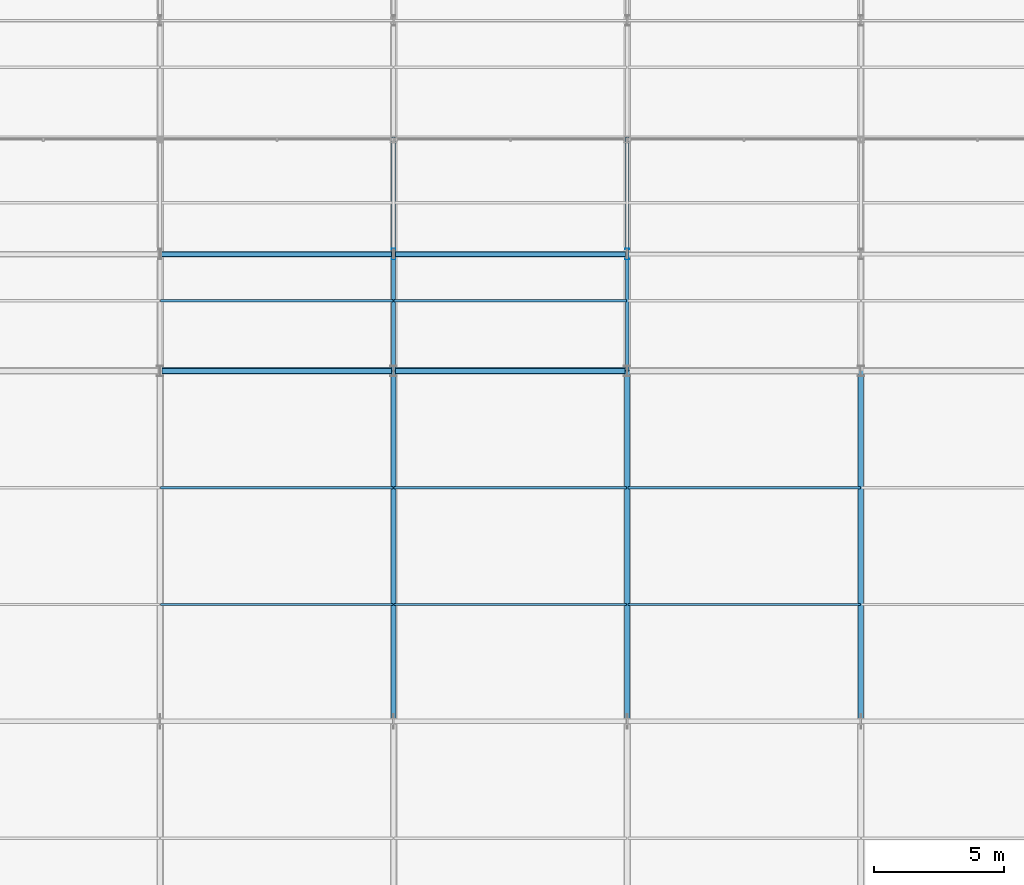
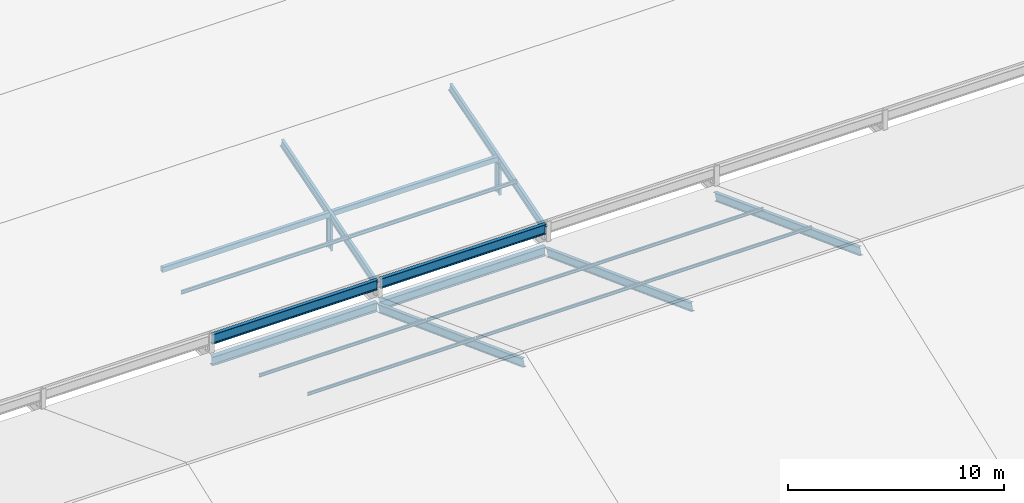
# One storey, part 44 of 163: 17 members, 4 beams.
"""IFC4 building model written with IfcOpenShell, lengths in metres."""

from ifc_helpers import new_model, si_unit, direction, frame, origin, origin_2d, place, context, subcontext, project, spatial, hollow_rectangle, i_section, extrude, material, material_profile, profile_set, type_object, element, save


model = new_model("IFC4")

# Units and contexts
model_context = context("Model", 3, precision=1e-05, world=origin(), true_north=direction((0.0, 1.0)))
body_context = subcontext(model_context, "Body", "Model", "MODEL_VIEW")
ifc_project = project(units=[si_unit("LENGTHUNIT", "METRE"), si_unit("AREAUNIT", "SQUARE_METRE"), si_unit("VOLUMEUNIT", "CUBIC_METRE"), si_unit("PLANEANGLEUNIT", "RADIAN"), si_unit("MASSUNIT", "GRAM", prefix="KILO")], contexts=[model_context])

# Site, building, storey
site_placement = place(None, origin())
site = spatial("IfcSite", under=ifc_project, at=site_placement, CompositionType="ELEMENT")
building_placement = place(site_placement, origin())
building = spatial("IfcBuilding", under=site, at=building_placement, Name="Tharagai Park Tramway Depot", CompositionType="ELEMENT")
storey_placement = place(building_placement, frame((0.0, 0.0, 8.39990234375)))
storey = spatial("IfcBuildingStorey", under=building, at=storey_placement, Name="L02", CompositionType="ELEMENT", Elevation=8.39990234375)

# Beams
ifc_material_1 = material(Name="Steel E350", Category="steel")
ifc_material_profile_1 = material_profile(ifc_material_1, i_section(OverallWidth=0.25, OverallDepth=0.5, WebThickness=0.010009765625, FlangeThickness=0.0146484375, FilletRadius=0.014892578125, at=origin_2d()), Name="ISWB 500")
ifc_profile_set_1 = profile_set([ifc_material_profile_1], Name="Steel E350")
beam_type_1 = type_object("IfcBeamType", Name="BM-08", PredefinedType="BEAM", material=ifc_profile_set_1)
for number, where, z_axis, x_axis, name in (
    (1, (27.080078125, 90.0, -0.5), (1.0, 0.0, 0.0), (0.0, 1.0, 0.0), "V2B Roof Eave Girder BM-08"),
    (2, (36.080078125, 90.0, -0.5), (1.0, 0.0, 0.0), (0.0, 1.0, 0.0), "V2B Roof Eave Girder BM-08"),
):
    element("IfcBeam", number, at=place(storey_placement, frame(where, z_axis=z_axis, x_axis=x_axis)), inside=storey, type_object=beam_type_1, Name=name, PredefinedType="BEAM", context=body_context, shape_type="SweptSolid", body=[
        extrude(i_section(OverallWidth=0.25, OverallDepth=0.5, WebThickness=0.010009765625, FlangeThickness=0.0146484375, FilletRadius=0.014892578125, at=origin_2d()), origin(), (0.0, 0.0, 1.0), 8.83984375),
    ])
ifc_material_profile_2 = material_profile(ifc_material_1, i_section(OverallWidth=0.18994140625, OverallDepth=0.550048828125, WebThickness=0.01123046875, FlangeThickness=0.019287109375, FilletRadius=0.01806640625, at=origin_2d()), Name="ISMB 550")
ifc_profile_set_2 = profile_set([ifc_material_profile_2], Name="Steel E350")
beam_type_2 = type_object("IfcBeamType", Name="BM-09", PredefinedType="BEAM", material=ifc_profile_set_2)
for number, where, z_axis, x_axis, name in (
    (3, (27.080078125, 90.0, 0.72509765625), (1.0, 0.0, 0.0), (0.0, 1.0, 0.0), "Sawtooth Valley Girder BM-09"),
    (4, (36.080078125, 90.0, 0.72509765625), (1.0, 0.0, 0.0), (0.0, 1.0, 0.0), "Sawtooth Valley Girder BM-09"),
):
    element("IfcBeam", number, at=place(storey_placement, frame(where, z_axis=z_axis, x_axis=x_axis)), inside=storey, type_object=beam_type_2, Name=name, PredefinedType="BEAM", context=body_context, shape_type="SweptSolid", body=[
        extrude(i_section(OverallWidth=0.18994140625, OverallDepth=0.550048828125, WebThickness=0.01123046875, FlangeThickness=0.019287109375, FilletRadius=0.01806640625, at=origin_2d()), origin(), (0.0, 0.0, 1.0), 8.83984375),
    ])

# Members
ifc_material_2 = material(Name="Steel E250", Category="steel")
ifc_material_profile_3 = material_profile(ifc_material_2, i_section(OverallWidth=0.090087890625, OverallDepth=0.175048828125, WebThickness=0.005615234375, FlangeThickness=0.009033203125, FilletRadius=0.010009765625, at=origin_2d()), Name="ISMB 175")
ifc_profile_set_3 = profile_set([ifc_material_profile_3], Name="Steel E250")
member_type_1 = type_object("IfcMemberType", Name="PR-01", PredefinedType="PURLIN", material=ifc_profile_set_3)
for number, where, z_axis, x_axis, name in (
    (5, (27.02001953125, 85.5, 1.398681640625), (1.0, 0.0, 0.0), (0.0, 1.0, 0.0), "V2B Roof Purlin PR-01"),
    (6, (27.02001953125, 81.0, 3.0810546875), (1.0, 0.0, 0.0), (0.0, 1.0, 0.0), "V2B Roof Purlin PR-01"),
    (7, (36.02001953125, 85.5, 1.398681640625), (1.0, 0.0, 0.0), (0.0, 1.0, 0.0), "V2B Roof Purlin PR-01"),
    (8, (36.02001953125, 81.0, 3.0810546875), (1.0, 0.0, 0.0), (0.0, 1.0, 0.0), "V2B Roof Purlin PR-01"),
    (9, (45.02001953125, 85.5, 1.398681640625), (1.0, 0.0, 0.0), (0.0, 1.0, 0.0), "V2B Roof Purlin PR-01"),
    (10, (45.02001953125, 81.0, 3.0810546875), (1.0, 0.0, 0.0), (0.0, 1.0, 0.0), "V2B Roof Purlin PR-01"),
):
    element("IfcMember", number, at=place(storey_placement, frame(where, z_axis=z_axis, x_axis=x_axis)), inside=storey, type_object=member_type_1, Name=name, PredefinedType="PURLIN", context=body_context, shape_type="SweptSolid", body=[
        extrude(i_section(OverallWidth=0.090087890625, OverallDepth=0.175048828125, WebThickness=0.005615234375, FlangeThickness=0.009033203125, FilletRadius=0.010009765625, at=origin_2d()), origin(), (0.0, 0.0, 1.0), 8.9599609375),
    ])
ifc_material_profile_4 = material_profile(ifc_material_2, i_section(OverallWidth=0.10009765625, OverallDepth=0.199951171875, WebThickness=0.005615234375, FlangeThickness=0.0107421875, FilletRadius=0.010986328125, at=origin_2d()), Name="ISMB 200")
ifc_profile_set_4 = profile_set([ifc_material_profile_4], Name="Steel E250")
member_type_2 = type_object("IfcMemberType", Name="PR-04", PredefinedType="PURLIN", material=ifc_profile_set_4)
for number, where, z_axis, x_axis, name in (
    (11, (27.02001953125, 92.699951171875, 1.733154296875), (1.0, 0.0, 0.0), (0.0, 1.0, 0.0), "Sawtooth Roof Purlin PR-04"),
    (12, (36.02001953125, 92.699951171875, 1.733154296875), (1.0, 0.0, 0.0), (0.0, 1.0, 0.0), "Sawtooth Roof Purlin PR-04"),
):
    element("IfcMember", number, at=place(storey_placement, frame(where, z_axis=z_axis, x_axis=x_axis)), inside=storey, type_object=member_type_2, Name=name, PredefinedType="PURLIN", context=body_context, shape_type="SweptSolid", body=[
        extrude(i_section(OverallWidth=0.10009765625, OverallDepth=0.199951171875, WebThickness=0.005615234375, FlangeThickness=0.0107421875, FilletRadius=0.010986328125, at=origin_2d()), origin(), (0.0, 0.0, 1.0), 8.9599609375),
    ])
ifc_material_profile_5 = material_profile(ifc_material_1, i_section(OverallWidth=0.199951171875, OverallDepth=0.449951171875, WebThickness=0.00927734375, FlangeThickness=0.015380859375, FilletRadius=0.014892578125, at=origin_2d()), Name="ISWB 450")
ifc_profile_set_5 = profile_set([ifc_material_profile_5], Name="Steel E350")
member_type_3 = type_object("IfcMemberType", Name="RF-03", PredefinedType="RAFTER", material=ifc_profile_set_5)
for number, where, z_axis, x_axis, name in (
    (13, (36.0, 76.5, 4.446044921875), (0.0, 0.936246041069, -0.35134505914), (-1.0, 0.0, 0.0), "V2B Pitched Rafter RF-03 North"),
    (14, (45.0, 76.5, 4.446044921875), (0.0, 0.936246041069, -0.35134505914), (-1.0, 0.0, 0.0), "V2B Pitched Rafter RF-03 North"),
    (15, (54.0, 76.5, 4.446044921875), (0.0, 0.936246041069, -0.35134505914), (-1.0, 0.0, 0.0), "V2B Pitched Rafter RF-03 North"),
):
    element("IfcMember", number, at=place(storey_placement, frame(where, z_axis=z_axis, x_axis=x_axis)), inside=storey, type_object=member_type_3, Name=name, PredefinedType="RAFTER", context=body_context, shape_type="SweptSolid", body=[
        extrude(i_section(OverallWidth=0.199951171875, OverallDepth=0.449951171875, WebThickness=0.00927734375, FlangeThickness=0.015380859375, FilletRadius=0.014892578125, at=origin_2d()), origin(), (0.0, 0.0, 1.0), 14.36572265625),
    ])
ifc_material_profile_6 = material_profile(ifc_material_1, hollow_rectangle(XDim=0.199951171875, YDim=0.300048828125, WallThickness=0.010009765625, InnerFilletRadius=0.010009765625, OuterFilletRadius=0.02001953125, at=origin_2d()), Name="RHS 300x200x10")
ifc_profile_set_6 = profile_set([ifc_material_profile_6], Name="Steel E350")
member_type_4 = type_object("IfcMemberType", Name="TC-01", PredefinedType="CHORD", material=ifc_profile_set_6)
for number, where, z_axis, x_axis, name in (
    (16, (27.02001953125, 94.5, 1.946533203125), (1.0, 0.0, 0.0), (0.0, 1.0, 0.0), "Sawtooth Tubular Tie Strut TC-01"),
    (17, (36.02001953125, 94.5, 1.946533203125), (1.0, 0.0, 0.0), (0.0, 1.0, 0.0), "Sawtooth Tubular Tie Strut TC-01"),
):
    element("IfcMember", number, at=place(storey_placement, frame(where, z_axis=z_axis, x_axis=x_axis)), inside=storey, type_object=member_type_4, Name=name, PredefinedType="CHORD", context=body_context, shape_type="SweptSolid", body=[
        extrude(hollow_rectangle(XDim=0.199951171875, YDim=0.300048828125, WallThickness=0.010009765625, InnerFilletRadius=0.010009765625, OuterFilletRadius=0.02001953125, at=origin_2d()), origin(), (0.0, 0.0, 1.0), 8.9599609375),
    ])
ifc_material_profile_7 = material_profile(ifc_material_1, i_section(OverallWidth=0.14990234375, OverallDepth=0.449951171875, WebThickness=0.009521484375, FlangeThickness=0.017333984375, FilletRadius=0.014892578125, at=origin_2d()), Name="ISMB 450")
ifc_profile_set_7 = profile_set([ifc_material_profile_7], Name="Steel E350")
member_type_5 = type_object("IfcMemberType", Name="TC-05", PredefinedType="CHORD", material=ifc_profile_set_7)
for number, where, z_axis, x_axis, name in (
    (18, (36.0, 90.06005859375, 0.587890625), (0.0, 0.956231486327, 0.29261125159), (-1.0, 0.0, 0.0), "Sawtooth Top Chord TC-05"),
    (19, (45.0, 90.06005859375, 0.587890625), (0.0, 0.956231486327, 0.29261125159), (-1.0, 0.0, 0.0), "Sawtooth Top Chord TC-05"),
):
    element("IfcMember", number, at=place(storey_placement, frame(where, z_axis=z_axis, x_axis=x_axis)), inside=storey, type_object=member_type_5, Name=name, PredefinedType="CHORD", context=body_context, shape_type="SweptSolid", body=[
        extrude(i_section(OverallWidth=0.14990234375, OverallDepth=0.449951171875, WebThickness=0.009521484375, FlangeThickness=0.017333984375, FilletRadius=0.014892578125, at=origin_2d()), origin(), (0.0, 0.0, 1.0), 9.286376953125),
    ])
ifc_material_profile_8 = material_profile(ifc_material_1, i_section(OverallWidth=0.139892578125, OverallDepth=0.39990234375, WebThickness=0.0087890625, FlangeThickness=0.01611328125, FilletRadius=0.013916015625, at=origin_2d()), Name="ISMB 400")
ifc_profile_set_8 = profile_set([ifc_material_profile_8], Name="Steel E350")
member_type_6 = type_object("IfcMemberType", Name="TC-06", PredefinedType="CHORD", material=ifc_profile_set_8)
for number, where, z_axis, x_axis, name in (
    (20, (36.0, 94.5, -0.0498046875), (0.0, 0.0, 1.0), (1.0, 0.0, 0.0), "Sawtooth Mid-Tooth Strut TC-06"),
    (21, (45.0, 94.5, -0.0498046875), (0.0, 0.0, 1.0), (1.0, 0.0, 0.0), "Sawtooth Mid-Tooth Strut TC-06"),
):
    element("IfcMember", number, at=place(storey_placement, frame(where, z_axis=z_axis, x_axis=x_axis)), inside=storey, type_object=member_type_6, Name=name, PredefinedType="CHORD", context=body_context, shape_type="SweptSolid", body=[
        extrude(i_section(OverallWidth=0.139892578125, OverallDepth=0.39990234375, WebThickness=0.0087890625, FlangeThickness=0.01611328125, FilletRadius=0.013916015625, at=origin_2d()), origin(), (0.0, 0.0, 1.0), 1.846435546875),
    ])

save(model, "model.ifc")
